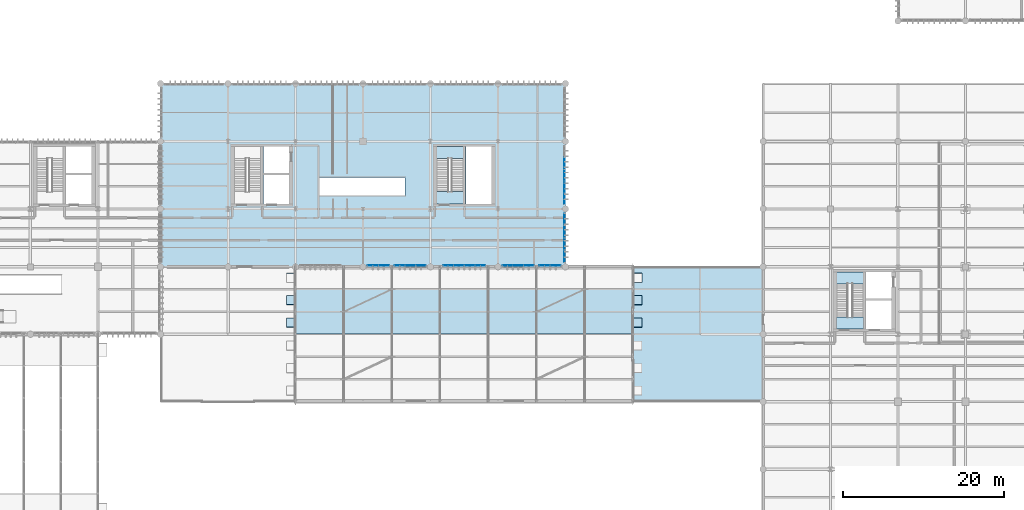
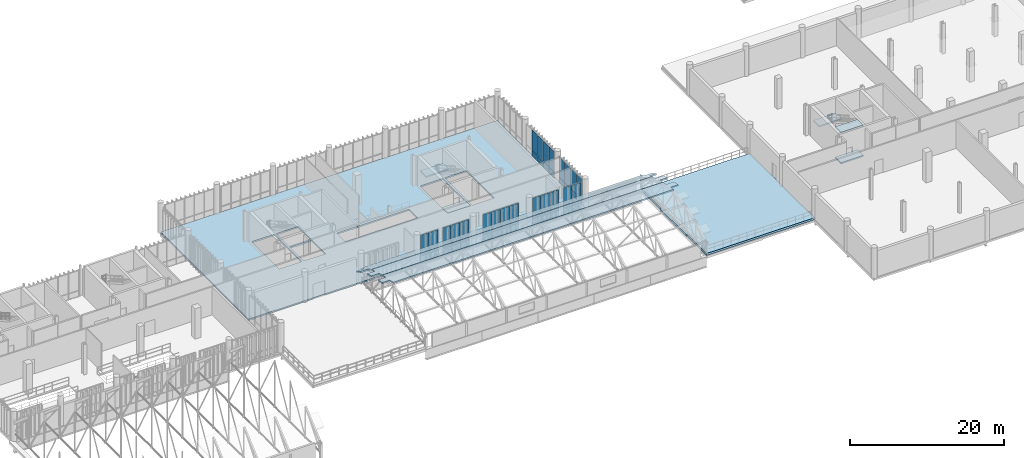
# One storey, part 83 of 109: 44 plates, 10 slabs, 9 elements without a shape of their own.
"""IFC4 building model written with IfcOpenShell, lengths in metres."""

from ifc_helpers import new_model, si_unit, direction, frame, frame_2d, origin_with_axes, place, context, subcontext, project, spatial, polyline, rectangle, outline, extrude, material, layer, layer_set, type_object, element, aggregate, save


model = new_model("IFC4")

# Units and contexts
model_context = context("Model", 3, precision=1e-05, world=origin_with_axes(), true_north=direction((0.0, 1.0)))
body_context = subcontext(model_context, "Body", "Model", "MODEL_VIEW")
ifc_project = project(units=[si_unit("LENGTHUNIT", "METRE"), si_unit("AREAUNIT", "SQUARE_METRE"), si_unit("VOLUMEUNIT", "CUBIC_METRE"), si_unit("PLANEANGLEUNIT", "RADIAN"), si_unit("MASSUNIT", "GRAM", prefix="KILO"), si_unit("THERMODYNAMICTEMPERATUREUNIT", "KELVIN")], contexts=[model_context])

# Site, building, storey
site_placement = place(None, origin_with_axes())
site = spatial("IfcSite", under=ifc_project, at=site_placement, CompositionType="ELEMENT")
building_placement = place(site_placement, origin_with_axes())
building = spatial("IfcBuilding", under=site, at=building_placement, Name="Montbau Bow Law Courts", CompositionType="ELEMENT")
storey_placement = place(building_placement, frame((0.0, 0.0, 10.8), z_axis=(0.0, 0.0, 1.0), x_axis=(1.0, 0.0, 0.0)))
storey = spatial("IfcBuildingStorey", under=building, at=storey_placement, Name="L02", CompositionType="ELEMENT", Elevation=10.8)

# Curtain wall, plates
ifc_material_1 = material(Name="Thermally Broken Extruded Aluminium AA 6063-T6", Category="aluminium")
curtain_wall_type = type_object("IfcCurtainWallType", Name="CW-CRM-01", PredefinedType="NOTDEFINED", material=ifc_material_1)
curtain_wall_1_placement = place(None, frame((72.515, 39.14, 10.8), z_axis=(0.0, 0.0, 1.0), x_axis=(1.0, 0.0, 0.0)))
curtain_wall_1 = element("IfcCurtainWall", 1, at=curtain_wall_1_placement, inside=storey, type_object=curtain_wall_type, Name="CW-L02-158:cw_0158", PredefinedType="NOTDEFINED")
ifc_material_2 = material(Name="Triple-Glazed Low-E Argon Insulating Glass Unit", Category="glass")
ifc_layer_1 = layer(ifc_material_2, 0.044, Name="Curtain Panel", Category="glass")
ifc_layer_set_1 = layer_set([ifc_layer_1], Name="Triple-Glazed Low-E Argon Insulating Glass Unit")
plate_type_1 = type_object("IfcPlateType", Name="PL-CWP-01", PredefinedType="CURTAIN_PANEL", material=ifc_layer_set_1)
plate_1_placement = place(None, frame((72.577, 39.14, 11.782), z_axis=(0.0, -1.0, 0.0), x_axis=(1.0, 0.0, 0.0)))
plate_1 = element("IfcPlate", 2, at=plate_1_placement, type_object=plate_type_1, Name="CW-L02-158-P01-2:cw_0158_P01_2", PredefinedType="CURTAIN_PANEL", context=body_context, shape_type="SweptSolid", body=[
    extrude(rectangle(XDim=1.3, YDim=3.176, at=frame_2d((0.65, 1.588), x_axis=(1.0, 0.0))), frame((0.0, 0.0, -0.022), z_axis=(0.0, 0.0, 1.0), x_axis=(1.0, 0.0, 0.0)), (0.0, 0.0, 1.0), 0.044),
])
plate_2_placement = place(None, frame((73.941, 39.14, 11.782), z_axis=(0.0, -1.0, 0.0), x_axis=(1.0, 0.0, 0.0)))
plate_2 = element("IfcPlate", 3, at=plate_2_placement, type_object=plate_type_1, Name="CW-L02-158-P02-2:cw_0158_P02_2", PredefinedType="CURTAIN_PANEL", context=body_context, shape_type="SweptSolid", body=[
    extrude(rectangle(XDim=1.3, YDim=3.176, at=frame_2d((0.65, 1.588), x_axis=(1.0, 0.0))), frame((0.0, 0.0, -0.022), z_axis=(0.0, 0.0, 1.0), x_axis=(1.0, 0.0, 0.0)), (0.0, 0.0, 1.0), 0.044),
])

curtain_wall_2_placement = place(None, frame((75.897, 39.14, 10.8), z_axis=(0.0, 0.0, 1.0), x_axis=(1.0, 0.0, 0.0)))
curtain_wall_2 = element("IfcCurtainWall", 4, at=curtain_wall_2_placement, inside=storey, type_object=curtain_wall_type, Name="CW-L02-159:cw_0159", PredefinedType="NOTDEFINED")
plate_3_placement = place(None, frame((75.973, 39.14, 11.78), z_axis=(0.0, -1.0, 0.0), x_axis=(1.0, 0.0, 0.0)))
plate_3 = element("IfcPlate", 5, at=plate_3_placement, type_object=plate_type_1, Name="CW-L02-159-P01-2:cw_0159_P01_2", PredefinedType="CURTAIN_PANEL", context=body_context, shape_type="SweptSolid", body=[
    extrude(rectangle(XDim=1.213, YDim=3.183, at=frame_2d((0.6065, 1.5915), x_axis=(1.0, 0.0))), frame((0.0, 0.0, -0.022), z_axis=(0.0, 0.0, 1.0), x_axis=(1.0, 0.0, 0.0)), (0.0, 0.0, 1.0), 0.044),
])
plate_4_placement = place(None, frame((77.266, 39.14, 11.78), z_axis=(0.0, -1.0, 0.0), x_axis=(1.0, 0.0, 0.0)))
plate_4 = element("IfcPlate", 6, at=plate_4_placement, type_object=plate_type_1, Name="CW-L02-159-P02-2:cw_0159_P02_2", PredefinedType="CURTAIN_PANEL", context=body_context, shape_type="SweptSolid", body=[
    extrude(rectangle(XDim=1.25, YDim=3.183, at=frame_2d((0.625, 1.5915), x_axis=(1.0, 0.0))), frame((0.0, 0.0, -0.022), z_axis=(0.0, 0.0, 1.0), x_axis=(1.0, 0.0, 0.0)), (0.0, 0.0, 1.0), 0.044),
])
plate_5_placement = place(None, frame((78.595, 39.14, 11.78), z_axis=(0.0, -1.0, 0.0), x_axis=(1.0, 0.0, 0.0)))
plate_5 = element("IfcPlate", 7, at=plate_5_placement, type_object=plate_type_1, Name="CW-L02-159-P03-2:cw_0159_P03_2", PredefinedType="CURTAIN_PANEL", context=body_context, shape_type="SweptSolid", body=[
    extrude(rectangle(XDim=1.213, YDim=3.183, at=frame_2d((0.6065, 1.5915), x_axis=(1.0, 0.0))), frame((0.0, 0.0, -0.022), z_axis=(0.0, 0.0, 1.0), x_axis=(1.0, 0.0, 0.0)), (0.0, 0.0, 1.0), 0.044),
])

curtain_wall_3_placement = place(None, frame((81.897, 39.14, 10.8), z_axis=(0.0, 0.0, 1.0), x_axis=(1.0, 0.0, 0.0)))
curtain_wall_3 = element("IfcCurtainWall", 8, at=curtain_wall_3_placement, inside=storey, type_object=curtain_wall_type, Name="CW-L02-160:cw_0160", PredefinedType="NOTDEFINED")
plate_6_placement = place(None, frame((81.965, 39.14, 11.782), z_axis=(0.0, -1.0, 0.0), x_axis=(1.0, 0.0, 0.0)))
plate_6 = element("IfcPlate", 9, at=plate_6_placement, type_object=plate_type_1, Name="CW-L02-160-P01-2:cw_0160_P01_2", PredefinedType="CURTAIN_PANEL", context=body_context, shape_type="SweptSolid", body=[
    extrude(rectangle(XDim=1.249, YDim=3.176, at=frame_2d((0.6245, 1.588), x_axis=(1.0, 0.0))), frame((0.0, 0.0, -0.022), z_axis=(0.0, 0.0, 1.0), x_axis=(1.0, 0.0, 0.0)), (0.0, 0.0, 1.0), 0.044),
])
plate_7_placement = place(None, frame((83.282, 39.14, 11.782), z_axis=(0.0, -1.0, 0.0), x_axis=(1.0, 0.0, 0.0)))
plate_7 = element("IfcPlate", 10, at=plate_7_placement, type_object=plate_type_1, Name="CW-L02-160-P02-2:cw_0160_P02_2", PredefinedType="CURTAIN_PANEL", context=body_context, shape_type="SweptSolid", body=[
    extrude(rectangle(XDim=1.283, YDim=3.176, at=frame_2d((0.6415, 1.588), x_axis=(1.0, 0.0))), frame((0.0, 0.0, -0.022), z_axis=(0.0, 0.0, 1.0), x_axis=(1.0, 0.0, 0.0)), (0.0, 0.0, 1.0), 0.044),
])
plate_8_placement = place(None, frame((84.634, 39.14, 11.782), z_axis=(0.0, -1.0, 0.0), x_axis=(1.0, 0.0, 0.0)))
plate_8 = element("IfcPlate", 11, at=plate_8_placement, type_object=plate_type_1, Name="CW-L02-160-P03-2:cw_0160_P03_2", PredefinedType="CURTAIN_PANEL", context=body_context, shape_type="SweptSolid", body=[
    extrude(rectangle(XDim=1.283, YDim=3.176, at=frame_2d((0.6415, 1.588), x_axis=(1.0, 0.0))), frame((0.0, 0.0, -0.022), z_axis=(0.0, 0.0, 1.0), x_axis=(1.0, 0.0, 0.0)), (0.0, 0.0, 1.0), 0.044),
])
plate_9_placement = place(None, frame((85.985, 39.14, 11.782), z_axis=(0.0, -1.0, 0.0), x_axis=(1.0, 0.0, 0.0)))
plate_9 = element("IfcPlate", 12, at=plate_9_placement, type_object=plate_type_1, Name="CW-L02-160-P04-2:cw_0160_P04_2", PredefinedType="CURTAIN_PANEL", context=body_context, shape_type="SweptSolid", body=[
    extrude(rectangle(XDim=1.251, YDim=3.176, at=frame_2d((0.6255, 1.588), x_axis=(1.0, 0.0))), frame((0.0, 0.0, -0.022), z_axis=(0.0, 0.0, 1.0), x_axis=(1.0, 0.0, 0.0)), (0.0, 0.0, 1.0), 0.044),
])

curtain_wall_4_placement = place(None, frame((89.315, 39.14, 10.8), z_axis=(0.0, 0.0, 1.0), x_axis=(1.0, 0.0, 0.0)))
curtain_wall_4 = element("IfcCurtainWall", 13, at=curtain_wall_4_placement, inside=storey, type_object=curtain_wall_type, Name="CW-L02-161:cw_0161", PredefinedType="NOTDEFINED")
plate_10_placement = place(None, frame((89.377, 39.14, 11.78), z_axis=(0.0, -1.0, 0.0), x_axis=(1.0, 0.0, 0.0)))
plate_10 = element("IfcPlate", 14, at=plate_10_placement, type_object=plate_type_1, Name="CW-L02-161-P01-2:cw_0161_P01_2", PredefinedType="CURTAIN_PANEL", context=body_context, shape_type="SweptSolid", body=[
    extrude(rectangle(XDim=1.235, YDim=3.183, at=frame_2d((0.6175, 1.5915), x_axis=(1.0, 0.0))), frame((0.0, 0.0, -0.022), z_axis=(0.0, 0.0, 1.0), x_axis=(1.0, 0.0, 0.0)), (0.0, 0.0, 1.0), 0.044),
])
plate_11_placement = place(None, frame((90.676, 39.14, 11.78), z_axis=(0.0, -1.0, 0.0), x_axis=(1.0, 0.0, 0.0)))
plate_11 = element("IfcPlate", 15, at=plate_11_placement, type_object=plate_type_1, Name="CW-L02-161-P02-2:cw_0161_P02_2", PredefinedType="CURTAIN_PANEL", context=body_context, shape_type="SweptSolid", body=[
    extrude(rectangle(XDim=1.266, YDim=3.183, at=frame_2d((0.633, 1.5915), x_axis=(1.0, 0.0))), frame((0.0, 0.0, -0.022), z_axis=(0.0, 0.0, 1.0), x_axis=(1.0, 0.0, 0.0)), (0.0, 0.0, 1.0), 0.044),
])
plate_12_placement = place(None, frame((92.006, 39.14, 11.78), z_axis=(0.0, -1.0, 0.0), x_axis=(1.0, 0.0, 0.0)))
plate_12 = element("IfcPlate", 16, at=plate_12_placement, type_object=plate_type_1, Name="CW-L02-161-P03-2:cw_0161_P03_2", PredefinedType="CURTAIN_PANEL", context=body_context, shape_type="SweptSolid", body=[
    extrude(rectangle(XDim=1.235, YDim=3.183, at=frame_2d((0.6175, 1.5915), x_axis=(1.0, 0.0))), frame((0.0, 0.0, -0.022), z_axis=(0.0, 0.0, 1.0), x_axis=(1.0, 0.0, 0.0)), (0.0, 0.0, 1.0), 0.044),
])

curtain_wall_5_placement = place(None, frame((93.897, 39.14, 10.8), z_axis=(0.0, 0.0, 1.0), x_axis=(1.0, 0.0, 0.0)))
curtain_wall_5 = element("IfcCurtainWall", 17, at=curtain_wall_5_placement, inside=storey, type_object=curtain_wall_type, Name="CW-L02-162:cw_0162", PredefinedType="NOTDEFINED")
plate_13_placement = place(None, frame((93.973, 39.14, 11.782), z_axis=(0.0, -1.0, 0.0), x_axis=(1.0, 0.0, 0.0)))
plate_13 = element("IfcPlate", 18, at=plate_13_placement, type_object=plate_type_1, Name="CW-L02-162-P01-2:cw_0162_P01_2", PredefinedType="CURTAIN_PANEL", context=body_context, shape_type="SweptSolid", body=[
    extrude(rectangle(XDim=1.278, YDim=3.176, at=frame_2d((0.639, 1.588), x_axis=(1.0, 0.0))), frame((0.0, 0.0, -0.022), z_axis=(0.0, 0.0, 1.0), x_axis=(1.0, 0.0, 0.0)), (0.0, 0.0, 1.0), 0.044),
])
plate_14_placement = place(None, frame((95.33, 39.14, 11.782), z_axis=(0.0, -1.0, 0.0), x_axis=(1.0, 0.0, 0.0)))
plate_14 = element("IfcPlate", 19, at=plate_14_placement, type_object=plate_type_1, Name="CW-L02-162-P02-2:cw_0162_P02_2", PredefinedType="CURTAIN_PANEL", context=body_context, shape_type="SweptSolid", body=[
    extrude(rectangle(XDim=1.278, YDim=3.176, at=frame_2d((0.639, 1.588), x_axis=(1.0, 0.0))), frame((0.0, 0.0, -0.022), z_axis=(0.0, 0.0, 1.0), x_axis=(1.0, 0.0, 0.0)), (0.0, 0.0, 1.0), 0.044),
])

curtain_wall_6_placement = place(None, frame((97.06, 39.515, 10.8), z_axis=(0.0, 0.0, 1.0), x_axis=(1.0, 0.0, 0.0)))
curtain_wall_6 = element("IfcCurtainWall", 20, at=curtain_wall_6_placement, inside=storey, type_object=curtain_wall_type, Name="CW-L02-172:cw_0172", PredefinedType="NOTDEFINED")
plate_15_placement = place(None, frame((97.06, 39.583, 11.782), z_axis=(1.0, 0.0, 0.0), x_axis=(0.0, 1.0, 0.0)))
plate_15 = element("IfcPlate", 21, at=plate_15_placement, type_object=plate_type_1, Name="CW-L02-172-P01-2:cw_0172_P01_2", PredefinedType="CURTAIN_PANEL", context=body_context, shape_type="SweptSolid", body=[
    extrude(rectangle(XDim=1.44, YDim=3.176, at=frame_2d((0.72, 1.588), x_axis=(1.0, 0.0))), frame((0.0, 0.0, -0.022), z_axis=(0.0, 0.0, 1.0), x_axis=(1.0, 0.0, 0.0)), (0.0, 0.0, 1.0), 0.044),
])
plate_16_placement = place(None, frame((97.06, 41.092, 11.782), z_axis=(1.0, 0.0, 0.0), x_axis=(0.0, 1.0, 0.0)))
plate_16 = element("IfcPlate", 22, at=plate_16_placement, type_object=plate_type_1, Name="CW-L02-172-P02-2:cw_0172_P02_2", PredefinedType="CURTAIN_PANEL", context=body_context, shape_type="SweptSolid", body=[
    extrude(rectangle(XDim=1.473, YDim=3.176, at=frame_2d((0.7365, 1.588), x_axis=(1.0, 0.0))), frame((0.0, 0.0, -0.022), z_axis=(0.0, 0.0, 1.0), x_axis=(1.0, 0.0, 0.0)), (0.0, 0.0, 1.0), 0.044),
])
plate_17_placement = place(None, frame((97.06, 42.634, 11.782), z_axis=(1.0, 0.0, 0.0), x_axis=(0.0, 1.0, 0.0)))
plate_17 = element("IfcPlate", 23, at=plate_17_placement, type_object=plate_type_1, Name="CW-L02-172-P03-2:cw_0172_P03_2", PredefinedType="CURTAIN_PANEL", context=body_context, shape_type="SweptSolid", body=[
    extrude(rectangle(XDim=1.475, YDim=3.176, at=frame_2d((0.7375, 1.588), x_axis=(1.0, 0.0))), frame((0.0, 0.0, -0.022), z_axis=(0.0, 0.0, 1.0), x_axis=(1.0, 0.0, 0.0)), (0.0, 0.0, 1.0), 0.044),
])
plate_18_placement = place(None, frame((97.06, 44.177, 11.782), z_axis=(1.0, 0.0, 0.0), x_axis=(0.0, 1.0, 0.0)))
plate_18 = element("IfcPlate", 24, at=plate_18_placement, type_object=plate_type_1, Name="CW-L02-172-P04-2:cw_0172_P04_2", PredefinedType="CURTAIN_PANEL", context=body_context, shape_type="SweptSolid", body=[
    extrude(rectangle(XDim=1.442, YDim=3.176, at=frame_2d((0.721, 1.588), x_axis=(1.0, 0.0))), frame((0.0, 0.0, -0.022), z_axis=(0.0, 0.0, 1.0), x_axis=(1.0, 0.0, 0.0)), (0.0, 0.0, 1.0), 0.044),
])

curtain_wall_7_placement = place(None, frame((97.06, 46.715, 10.8), z_axis=(0.0, 0.0, 1.0), x_axis=(1.0, 0.0, 0.0)))
curtain_wall_7 = element("IfcCurtainWall", 25, at=curtain_wall_7_placement, inside=storey, type_object=curtain_wall_type, Name="CW-L02-173:cw_0173", PredefinedType="NOTDEFINED")
plate_19_placement = place(None, frame((97.06, 46.777, 11.78), z_axis=(1.0, 0.0, 0.0), x_axis=(0.0, 1.0, 0.0)))
plate_19 = element("IfcPlate", 26, at=plate_19_placement, type_object=plate_type_1, Name="CW-L02-173-P01-2:cw_0173_P01_2", PredefinedType="CURTAIN_PANEL", context=body_context, shape_type="SweptSolid", body=[
    extrude(rectangle(XDim=1.38, YDim=3.183, at=frame_2d((0.69, 1.5915), x_axis=(1.0, 0.0))), frame((0.0, 0.0, -0.022), z_axis=(0.0, 0.0, 1.0), x_axis=(1.0, 0.0, 0.0)), (0.0, 0.0, 1.0), 0.044),
])
plate_20_placement = place(None, frame((97.06, 48.221, 11.78), z_axis=(1.0, 0.0, 0.0), x_axis=(0.0, 1.0, 0.0)))
plate_20 = element("IfcPlate", 27, at=plate_20_placement, type_object=plate_type_1, Name="CW-L02-173-P02-2:cw_0173_P02_2", PredefinedType="CURTAIN_PANEL", context=body_context, shape_type="SweptSolid", body=[
    extrude(rectangle(XDim=1.41, YDim=3.183, at=frame_2d((0.705, 1.5915), x_axis=(1.0, 0.0))), frame((0.0, 0.0, -0.022), z_axis=(0.0, 0.0, 1.0), x_axis=(1.0, 0.0, 0.0)), (0.0, 0.0, 1.0), 0.044),
])
plate_21_placement = place(None, frame((97.06, 49.695, 11.78), z_axis=(1.0, 0.0, 0.0), x_axis=(0.0, 1.0, 0.0)))
plate_21 = element("IfcPlate", 28, at=plate_21_placement, type_object=plate_type_1, Name="CW-L02-173-P03-2:cw_0173_P03_2", PredefinedType="CURTAIN_PANEL", context=body_context, shape_type="SweptSolid", body=[
    extrude(rectangle(XDim=1.41, YDim=3.183, at=frame_2d((0.705, 1.5915), x_axis=(1.0, 0.0))), frame((0.0, 0.0, -0.022), z_axis=(0.0, 0.0, 1.0), x_axis=(1.0, 0.0, 0.0)), (0.0, 0.0, 1.0), 0.044),
])
plate_22_placement = place(None, frame((97.06, 51.169, 11.78), z_axis=(1.0, 0.0, 0.0), x_axis=(0.0, 1.0, 0.0)))
plate_22 = element("IfcPlate", 29, at=plate_22_placement, type_object=plate_type_1, Name="CW-L02-173-P04-2:cw_0173_P04_2", PredefinedType="CURTAIN_PANEL", context=body_context, shape_type="SweptSolid", body=[
    extrude(rectangle(XDim=1.41, YDim=3.183, at=frame_2d((0.705, 1.5915), x_axis=(1.0, 0.0))), frame((0.0, 0.0, -0.022), z_axis=(0.0, 0.0, 1.0), x_axis=(1.0, 0.0, 0.0)), (0.0, 0.0, 1.0), 0.044),
])

# Plate
ifc_material_3 = material(Name="Insulated Ceramic-Frit Spandrel Glazing Unit", Category="glass")
ifc_layer_2 = layer(ifc_material_3, 0.056, Name="Curtain Panel", Category="glass")
ifc_layer_set_2 = layer_set([ifc_layer_2], Name="Insulated Ceramic-Frit Spandrel Glazing Unit")
plate_type_2 = type_object("IfcPlateType", Name="PL-CWP-02", PredefinedType="CURTAIN_PANEL", material=ifc_layer_set_2)
plate_23_placement = place(None, frame((72.577, 39.14, 10.862), z_axis=(0.0, -1.0, 0.0), x_axis=(1.0, 0.0, 0.0)))
plate_23 = element("IfcPlate", 30, at=plate_23_placement, type_object=plate_type_2, Name="CW-L02-158-P01-1:cw_0158_P01_1", PredefinedType="CURTAIN_PANEL", context=body_context, shape_type="SweptSolid", body=[
    extrude(rectangle(XDim=1.3, YDim=0.856, at=frame_2d((0.65, 0.428), x_axis=(1.0, 0.0))), frame((0.0, 0.0, -0.028), z_axis=(0.0, 0.0, 1.0), x_axis=(1.0, 0.0, 0.0)), (0.0, 0.0, 1.0), 0.056),
])

plate_24_placement = place(None, frame((73.941, 39.14, 10.862), z_axis=(0.0, -1.0, 0.0), x_axis=(1.0, 0.0, 0.0)))
plate_24 = element("IfcPlate", 31, at=plate_24_placement, type_object=plate_type_2, Name="CW-L02-158-P02-1:cw_0158_P02_1", PredefinedType="CURTAIN_PANEL", context=body_context, shape_type="SweptSolid", body=[
    extrude(rectangle(XDim=1.3, YDim=0.856, at=frame_2d((0.65, 0.428), x_axis=(1.0, 0.0))), frame((0.0, 0.0, -0.028), z_axis=(0.0, 0.0, 1.0), x_axis=(1.0, 0.0, 0.0)), (0.0, 0.0, 1.0), 0.056),
])

aggregate(curtain_wall_1, [plate_23, plate_1, plate_24, plate_2])

plate_25_placement = place(None, frame((75.973, 39.14, 10.857), z_axis=(0.0, -1.0, 0.0), x_axis=(1.0, 0.0, 0.0)))
plate_25 = element("IfcPlate", 32, at=plate_25_placement, type_object=plate_type_2, Name="CW-L02-159-P01-1:cw_0159_P01_1", PredefinedType="CURTAIN_PANEL", context=body_context, shape_type="SweptSolid", body=[
    extrude(rectangle(XDim=1.213, YDim=0.863, at=frame_2d((0.6065, 0.4315), x_axis=(1.0, 0.0))), frame((0.0, 0.0, -0.028), z_axis=(0.0, 0.0, 1.0), x_axis=(1.0, 0.0, 0.0)), (0.0, 0.0, 1.0), 0.056),
])

plate_26_placement = place(None, frame((77.266, 39.14, 10.857), z_axis=(0.0, -1.0, 0.0), x_axis=(1.0, 0.0, 0.0)))
plate_26 = element("IfcPlate", 33, at=plate_26_placement, type_object=plate_type_2, Name="CW-L02-159-P02-1:cw_0159_P02_1", PredefinedType="CURTAIN_PANEL", context=body_context, shape_type="SweptSolid", body=[
    extrude(rectangle(XDim=1.25, YDim=0.863, at=frame_2d((0.625, 0.4315), x_axis=(1.0, 0.0))), frame((0.0, 0.0, -0.028), z_axis=(0.0, 0.0, 1.0), x_axis=(1.0, 0.0, 0.0)), (0.0, 0.0, 1.0), 0.056),
])

plate_27_placement = place(None, frame((78.595, 39.14, 10.857), z_axis=(0.0, -1.0, 0.0), x_axis=(1.0, 0.0, 0.0)))
plate_27 = element("IfcPlate", 34, at=plate_27_placement, type_object=plate_type_2, Name="CW-L02-159-P03-1:cw_0159_P03_1", PredefinedType="CURTAIN_PANEL", context=body_context, shape_type="SweptSolid", body=[
    extrude(rectangle(XDim=1.213, YDim=0.863, at=frame_2d((0.6065, 0.4315), x_axis=(1.0, 0.0))), frame((0.0, 0.0, -0.028), z_axis=(0.0, 0.0, 1.0), x_axis=(1.0, 0.0, 0.0)), (0.0, 0.0, 1.0), 0.056),
])

aggregate(curtain_wall_2, [plate_25, plate_3, plate_26, plate_4, plate_27, plate_5])

plate_28_placement = place(None, frame((81.965, 39.14, 10.862), z_axis=(0.0, -1.0, 0.0), x_axis=(1.0, 0.0, 0.0)))
plate_28 = element("IfcPlate", 35, at=plate_28_placement, type_object=plate_type_2, Name="CW-L02-160-P01-1:cw_0160_P01_1", PredefinedType="CURTAIN_PANEL", context=body_context, shape_type="SweptSolid", body=[
    extrude(rectangle(XDim=1.249, YDim=0.856, at=frame_2d((0.6245, 0.428), x_axis=(1.0, 0.0))), frame((0.0, 0.0, -0.028), z_axis=(0.0, 0.0, 1.0), x_axis=(1.0, 0.0, 0.0)), (0.0, 0.0, 1.0), 0.056),
])

plate_29_placement = place(None, frame((83.282, 39.14, 10.862), z_axis=(0.0, -1.0, 0.0), x_axis=(1.0, 0.0, 0.0)))
plate_29 = element("IfcPlate", 36, at=plate_29_placement, type_object=plate_type_2, Name="CW-L02-160-P02-1:cw_0160_P02_1", PredefinedType="CURTAIN_PANEL", context=body_context, shape_type="SweptSolid", body=[
    extrude(rectangle(XDim=1.283, YDim=0.856, at=frame_2d((0.6415, 0.428), x_axis=(1.0, 0.0))), frame((0.0, 0.0, -0.028), z_axis=(0.0, 0.0, 1.0), x_axis=(1.0, 0.0, 0.0)), (0.0, 0.0, 1.0), 0.056),
])

plate_30_placement = place(None, frame((84.634, 39.14, 10.862), z_axis=(0.0, -1.0, 0.0), x_axis=(1.0, 0.0, 0.0)))
plate_30 = element("IfcPlate", 37, at=plate_30_placement, type_object=plate_type_2, Name="CW-L02-160-P03-1:cw_0160_P03_1", PredefinedType="CURTAIN_PANEL", context=body_context, shape_type="SweptSolid", body=[
    extrude(rectangle(XDim=1.283, YDim=0.856, at=frame_2d((0.6415, 0.428), x_axis=(1.0, 0.0))), frame((0.0, 0.0, -0.028), z_axis=(0.0, 0.0, 1.0), x_axis=(1.0, 0.0, 0.0)), (0.0, 0.0, 1.0), 0.056),
])

plate_31_placement = place(None, frame((85.985, 39.14, 10.862), z_axis=(0.0, -1.0, 0.0), x_axis=(1.0, 0.0, 0.0)))
plate_31 = element("IfcPlate", 38, at=plate_31_placement, type_object=plate_type_2, Name="CW-L02-160-P04-1:cw_0160_P04_1", PredefinedType="CURTAIN_PANEL", context=body_context, shape_type="SweptSolid", body=[
    extrude(rectangle(XDim=1.251, YDim=0.856, at=frame_2d((0.6255, 0.428), x_axis=(1.0, 0.0))), frame((0.0, 0.0, -0.028), z_axis=(0.0, 0.0, 1.0), x_axis=(1.0, 0.0, 0.0)), (0.0, 0.0, 1.0), 0.056),
])

aggregate(curtain_wall_3, [plate_28, plate_6, plate_29, plate_7, plate_30, plate_8, plate_31, plate_9])

plate_32_placement = place(None, frame((89.377, 39.14, 10.857), z_axis=(0.0, -1.0, 0.0), x_axis=(1.0, 0.0, 0.0)))
plate_32 = element("IfcPlate", 39, at=plate_32_placement, type_object=plate_type_2, Name="CW-L02-161-P01-1:cw_0161_P01_1", PredefinedType="CURTAIN_PANEL", context=body_context, shape_type="SweptSolid", body=[
    extrude(rectangle(XDim=1.235, YDim=0.863, at=frame_2d((0.6175, 0.4315), x_axis=(1.0, 0.0))), frame((0.0, 0.0, -0.028), z_axis=(0.0, 0.0, 1.0), x_axis=(1.0, 0.0, 0.0)), (0.0, 0.0, 1.0), 0.056),
])

plate_33_placement = place(None, frame((90.676, 39.14, 10.857), z_axis=(0.0, -1.0, 0.0), x_axis=(1.0, 0.0, 0.0)))
plate_33 = element("IfcPlate", 40, at=plate_33_placement, type_object=plate_type_2, Name="CW-L02-161-P02-1:cw_0161_P02_1", PredefinedType="CURTAIN_PANEL", context=body_context, shape_type="SweptSolid", body=[
    extrude(rectangle(XDim=1.266, YDim=0.863, at=frame_2d((0.633, 0.4315), x_axis=(1.0, 0.0))), frame((0.0, 0.0, -0.028), z_axis=(0.0, 0.0, 1.0), x_axis=(1.0, 0.0, 0.0)), (0.0, 0.0, 1.0), 0.056),
])

plate_34_placement = place(None, frame((92.006, 39.14, 10.857), z_axis=(0.0, -1.0, 0.0), x_axis=(1.0, 0.0, 0.0)))
plate_34 = element("IfcPlate", 41, at=plate_34_placement, type_object=plate_type_2, Name="CW-L02-161-P03-1:cw_0161_P03_1", PredefinedType="CURTAIN_PANEL", context=body_context, shape_type="SweptSolid", body=[
    extrude(rectangle(XDim=1.235, YDim=0.863, at=frame_2d((0.6175, 0.4315), x_axis=(1.0, 0.0))), frame((0.0, 0.0, -0.028), z_axis=(0.0, 0.0, 1.0), x_axis=(1.0, 0.0, 0.0)), (0.0, 0.0, 1.0), 0.056),
])

aggregate(curtain_wall_4, [plate_32, plate_10, plate_33, plate_11, plate_34, plate_12])

plate_35_placement = place(None, frame((93.973, 39.14, 10.862), z_axis=(0.0, -1.0, 0.0), x_axis=(1.0, 0.0, 0.0)))
plate_35 = element("IfcPlate", 42, at=plate_35_placement, type_object=plate_type_2, Name="CW-L02-162-P01-1:cw_0162_P01_1", PredefinedType="CURTAIN_PANEL", context=body_context, shape_type="SweptSolid", body=[
    extrude(rectangle(XDim=1.278, YDim=0.856, at=frame_2d((0.639, 0.428), x_axis=(1.0, 0.0))), frame((0.0, 0.0, -0.028), z_axis=(0.0, 0.0, 1.0), x_axis=(1.0, 0.0, 0.0)), (0.0, 0.0, 1.0), 0.056),
])

plate_36_placement = place(None, frame((95.33, 39.14, 10.862), z_axis=(0.0, -1.0, 0.0), x_axis=(1.0, 0.0, 0.0)))
plate_36 = element("IfcPlate", 43, at=plate_36_placement, type_object=plate_type_2, Name="CW-L02-162-P02-1:cw_0162_P02_1", PredefinedType="CURTAIN_PANEL", context=body_context, shape_type="SweptSolid", body=[
    extrude(rectangle(XDim=1.278, YDim=0.856, at=frame_2d((0.639, 0.428), x_axis=(1.0, 0.0))), frame((0.0, 0.0, -0.028), z_axis=(0.0, 0.0, 1.0), x_axis=(1.0, 0.0, 0.0)), (0.0, 0.0, 1.0), 0.056),
])

aggregate(curtain_wall_5, [plate_35, plate_13, plate_36, plate_14])

plate_37_placement = place(None, frame((97.06, 39.583, 10.862), z_axis=(1.0, 0.0, 0.0), x_axis=(0.0, 1.0, 0.0)))
plate_37 = element("IfcPlate", 44, at=plate_37_placement, type_object=plate_type_2, Name="CW-L02-172-P01-1:cw_0172_P01_1", PredefinedType="CURTAIN_PANEL", context=body_context, shape_type="SweptSolid", body=[
    extrude(rectangle(XDim=1.44, YDim=0.856, at=frame_2d((0.72, 0.428), x_axis=(1.0, 0.0))), frame((0.0, 0.0, -0.028), z_axis=(0.0, 0.0, 1.0), x_axis=(1.0, 0.0, 0.0)), (0.0, 0.0, 1.0), 0.056),
])

plate_38_placement = place(None, frame((97.06, 41.092, 10.862), z_axis=(1.0, 0.0, 0.0), x_axis=(0.0, 1.0, 0.0)))
plate_38 = element("IfcPlate", 45, at=plate_38_placement, type_object=plate_type_2, Name="CW-L02-172-P02-1:cw_0172_P02_1", PredefinedType="CURTAIN_PANEL", context=body_context, shape_type="SweptSolid", body=[
    extrude(rectangle(XDim=1.473, YDim=0.856, at=frame_2d((0.7365, 0.428), x_axis=(1.0, 0.0))), frame((0.0, 0.0, -0.028), z_axis=(0.0, 0.0, 1.0), x_axis=(1.0, 0.0, 0.0)), (0.0, 0.0, 1.0), 0.056),
])

plate_39_placement = place(None, frame((97.06, 42.634, 10.862), z_axis=(1.0, 0.0, 0.0), x_axis=(0.0, 1.0, 0.0)))
plate_39 = element("IfcPlate", 46, at=plate_39_placement, type_object=plate_type_2, Name="CW-L02-172-P03-1:cw_0172_P03_1", PredefinedType="CURTAIN_PANEL", context=body_context, shape_type="SweptSolid", body=[
    extrude(rectangle(XDim=1.475, YDim=0.856, at=frame_2d((0.7375, 0.428), x_axis=(1.0, 0.0))), frame((0.0, 0.0, -0.028), z_axis=(0.0, 0.0, 1.0), x_axis=(1.0, 0.0, 0.0)), (0.0, 0.0, 1.0), 0.056),
])

plate_40_placement = place(None, frame((97.06, 44.177, 10.862), z_axis=(1.0, 0.0, 0.0), x_axis=(0.0, 1.0, 0.0)))
plate_40 = element("IfcPlate", 47, at=plate_40_placement, type_object=plate_type_2, Name="CW-L02-172-P04-1:cw_0172_P04_1", PredefinedType="CURTAIN_PANEL", context=body_context, shape_type="SweptSolid", body=[
    extrude(rectangle(XDim=1.442, YDim=0.856, at=frame_2d((0.721, 0.428), x_axis=(1.0, 0.0))), frame((0.0, 0.0, -0.028), z_axis=(0.0, 0.0, 1.0), x_axis=(1.0, 0.0, 0.0)), (0.0, 0.0, 1.0), 0.056),
])

aggregate(curtain_wall_6, [plate_37, plate_15, plate_38, plate_16, plate_39, plate_17, plate_40, plate_18])

plate_41_placement = place(None, frame((97.06, 46.777, 10.857), z_axis=(1.0, 0.0, 0.0), x_axis=(0.0, 1.0, 0.0)))
plate_41 = element("IfcPlate", 48, at=plate_41_placement, type_object=plate_type_2, Name="CW-L02-173-P01-1:cw_0173_P01_1", PredefinedType="CURTAIN_PANEL", context=body_context, shape_type="SweptSolid", body=[
    extrude(rectangle(XDim=1.38, YDim=0.863, at=frame_2d((0.69, 0.4315), x_axis=(1.0, 0.0))), frame((0.0, 0.0, -0.028), z_axis=(0.0, 0.0, 1.0), x_axis=(1.0, 0.0, 0.0)), (0.0, 0.0, 1.0), 0.056),
])

plate_42_placement = place(None, frame((97.06, 48.221, 10.857), z_axis=(1.0, 0.0, 0.0), x_axis=(0.0, 1.0, 0.0)))
plate_42 = element("IfcPlate", 49, at=plate_42_placement, type_object=plate_type_2, Name="CW-L02-173-P02-1:cw_0173_P02_1", PredefinedType="CURTAIN_PANEL", context=body_context, shape_type="SweptSolid", body=[
    extrude(rectangle(XDim=1.41, YDim=0.863, at=frame_2d((0.705, 0.4315), x_axis=(1.0, 0.0))), frame((0.0, 0.0, -0.028), z_axis=(0.0, 0.0, 1.0), x_axis=(1.0, 0.0, 0.0)), (0.0, 0.0, 1.0), 0.056),
])

plate_43_placement = place(None, frame((97.06, 49.695, 10.857), z_axis=(1.0, 0.0, 0.0), x_axis=(0.0, 1.0, 0.0)))
plate_43 = element("IfcPlate", 50, at=plate_43_placement, type_object=plate_type_2, Name="CW-L02-173-P03-1:cw_0173_P03_1", PredefinedType="CURTAIN_PANEL", context=body_context, shape_type="SweptSolid", body=[
    extrude(rectangle(XDim=1.41, YDim=0.863, at=frame_2d((0.705, 0.4315), x_axis=(1.0, 0.0))), frame((0.0, 0.0, -0.028), z_axis=(0.0, 0.0, 1.0), x_axis=(1.0, 0.0, 0.0)), (0.0, 0.0, 1.0), 0.056),
])

plate_44_placement = place(None, frame((97.06, 51.169, 10.857), z_axis=(1.0, 0.0, 0.0), x_axis=(0.0, 1.0, 0.0)))
plate_44 = element("IfcPlate", 51, at=plate_44_placement, type_object=plate_type_2, Name="CW-L02-173-P04-1:cw_0173_P04_1", PredefinedType="CURTAIN_PANEL", context=body_context, shape_type="SweptSolid", body=[
    extrude(rectangle(XDim=1.41, YDim=0.863, at=frame_2d((0.705, 0.4315), x_axis=(1.0, 0.0))), frame((0.0, 0.0, -0.028), z_axis=(0.0, 0.0, 1.0), x_axis=(1.0, 0.0, 0.0)), (0.0, 0.0, 1.0), 0.056),
])

aggregate(curtain_wall_7, [plate_41, plate_19, plate_42, plate_20, plate_43, plate_21, plate_44, plate_22])

# Slab
ifc_material_4 = material(Name="Concrete CSA A23.1 f'c 40 MPa", Category="concrete")
ifc_layer_3 = layer(ifc_material_4, 0.24, Name="Floor Slab", Category="concrete")
ifc_layer_set_3 = layer_set([ifc_layer_3], Name="Concrete CSA A23.1 f'c 40 MPa")
slab_type_1 = type_object("IfcSlabType", Name="SL-FLR-03", PredefinedType="FLOOR", material=ifc_layer_set_3)
slab_1_placement = place(None, frame((0.0, 0.0, 10.56), z_axis=(0.0, 0.0, 1.0), x_axis=(1.0, 0.0, 0.0)))
element("IfcSlab", 52, at=slab_1_placement, inside=storey, type_object=slab_type_1, Name="SL-V3-L02:slb_0017", PredefinedType="FLOOR", context=body_context, shape_type="SweptSolid", body=[
    extrude(outline(polyline([(46.8, 39.0), (97.2, 39.0), (97.2, 61.8), (46.8, 61.8), (46.8, 39.0)]), holes=[polyline([(55.92, 46.858), (59.3, 46.858), (59.3, 53.96), (55.92, 53.96), (55.92, 46.858)]), polyline([(59.6, 46.84), (62.85, 46.84), (62.85, 50.422), (59.6, 50.422), (59.6, 46.84)]), polyline([(59.6, 50.662), (62.85, 50.662), (62.85, 53.96), (59.6, 53.96), (59.6, 50.662)]), polyline([(81.12, 46.858), (84.5, 46.858), (84.5, 53.96), (81.12, 53.96), (81.12, 46.858)]), polyline([(84.8, 46.84), (88.05, 46.84), (88.05, 53.96), (84.8, 53.96), (84.8, 46.84)]), polyline([(66.45, 47.88), (77.23, 47.88), (77.23, 50.12), (66.45, 50.12), (66.45, 47.88)])]), origin_with_axes(), (0.0, 0.0, 1.0), 0.24),
])

# Stair, slabs
stair_type_1 = type_object("IfcStairType", Name="ST-PUB-1800", PredefinedType="HALF_TURN_STAIR", material=ifc_material_4)
stair_1_placement = place(None, frame((81.93, 48.3, 10.8), z_axis=(0.0, 0.0, 1.0), x_axis=(1.0, 0.0, 0.0)))
stair_1 = element("IfcStair", 53, at=stair_1_placement, inside=storey, type_object=stair_type_1, Name="ST-P3-L02:str_0028", PredefinedType="HALF_TURN_STAIR")
ifc_layer_4 = layer(ifc_material_4, 0.21, Name="Landing", Category="concrete")
ifc_layer_set_4 = layer_set([ifc_layer_4], Name="Concrete CSA A23.1 f'c 40 MPa")
slab_type_2 = type_object("IfcSlabType", Name="SL-LND-02", PredefinedType="LANDING", material=ifc_layer_set_4)
slab_2_placement = place(None, frame((0.0, 0.0, 10.59), z_axis=(0.0, 0.0, 1.0), x_axis=(1.0, 0.0, 0.0)))
slab_2 = element("IfcSlab", 54, at=slab_2_placement, type_object=slab_type_2, Name="ST-P3-L02-LB:str_0028_LB", PredefinedType="LANDING", context=body_context, shape_type="SweptSolid", body=[
    extrude(outline(polyline([(81.12, 46.84), (84.5, 46.84), (84.5, 48.34), (81.12, 48.34), (81.12, 46.84)])), origin_with_axes(), (0.0, 0.0, 1.0), 0.21),
])
slab_3_placement = place(None, frame((0.0, 0.0, 12.99), z_axis=(0.0, 0.0, 1.0), x_axis=(1.0, 0.0, 0.0)))
slab_3 = element("IfcSlab", 55, at=slab_3_placement, type_object=slab_type_2, Name="ST-P3-L02-LM:str_0028_LM", PredefinedType="LANDING", context=body_context, shape_type="SweptSolid", body=[
    extrude(outline(polyline([(81.12, 52.46), (84.5, 52.46), (84.5, 53.96), (81.12, 53.96), (81.12, 52.46)])), origin_with_axes(), (0.0, 0.0, 1.0), 0.21),
])
aggregate(stair_1, [slab_2, slab_3])

stair_type_2 = type_object("IfcStairType", Name="ST-CUS-1500", PredefinedType="HALF_TURN_STAIR", material=ifc_material_4)
stair_2_placement = place(None, frame((131.69, 32.7, 10.8), z_axis=(0.0, 0.0, 1.0), x_axis=(1.0, 0.0, 0.0)))
stair_2 = element("IfcStair", 56, at=stair_2_placement, inside=storey, type_object=stair_type_2, Name="ST-C1-L02:str_0058", PredefinedType="HALF_TURN_STAIR")
slab_4_placement = place(None, frame((0.0, 0.0, 10.59), z_axis=(0.0, 0.0, 1.0), x_axis=(1.0, 0.0, 0.0)))
slab_4 = element("IfcSlab", 57, at=slab_4_placement, type_object=slab_type_2, Name="ST-C1-L02-LB:str_0058_LB", PredefinedType="LANDING", context=body_context, shape_type="SweptSolid", body=[
    extrude(outline(polyline([(130.92, 31.24), (134.3, 31.24), (134.3, 32.74), (130.92, 32.74), (130.92, 31.24)])), origin_with_axes(), (0.0, 0.0, 1.0), 0.21),
])
slab_5_placement = place(None, frame((0.0, 0.0, 12.99), z_axis=(0.0, 0.0, 1.0), x_axis=(1.0, 0.0, 0.0)))
slab_5 = element("IfcSlab", 58, at=slab_5_placement, type_object=slab_type_2, Name="ST-C1-L02-LM:str_0058_LM", PredefinedType="LANDING", context=body_context, shape_type="SweptSolid", body=[
    extrude(outline(polyline([(130.92, 36.86), (134.3, 36.86), (134.3, 38.36), (130.92, 38.36), (130.92, 36.86)])), origin_with_axes(), (0.0, 0.0, 1.0), 0.21),
])
slab_6_placement = place(None, frame((0.0, 0.0, 15.39), z_axis=(0.0, 0.0, 1.0), x_axis=(1.0, 0.0, 0.0)))
slab_6 = element("IfcSlab", 59, at=slab_6_placement, type_object=slab_type_2, Name="ST-C1-L02-LT:str_0058_LT", PredefinedType="LANDING", context=body_context, shape_type="SweptSolid", body=[
    extrude(outline(polyline([(130.92, 31.24), (134.3, 31.24), (134.3, 32.74), (130.92, 32.74), (130.92, 31.24)])), origin_with_axes(), (0.0, 0.0, 1.0), 0.21),
])
aggregate(stair_2, [slab_4, slab_5, slab_6])

# Slabs
ifc_layer_5 = layer(ifc_material_4, 0.19, Name="Roof Slab", Category="concrete")
ifc_layer_set_5 = layer_set([ifc_layer_5], Name="Concrete CSA A23.1 f'c 40 MPa")
slab_type_3 = type_object("IfcSlabType", Name="SL-ROF-03", PredefinedType="ROOF", material=ifc_layer_set_5)
slab_7_placement = place(None, frame((0.0, 0.0, 21.610421), z_axis=(0.0, 0.191395051, 0.981513084), x_axis=(1.0, 0.0, 0.0)))
element("IfcSlab", 60, at=slab_7_placement, inside=storey, type_object=slab_type_3, Name="BV-SLB-V4-F4:slb_0083", PredefinedType="ROOF", context=body_context, shape_type="SweptSolid", body=[
    extrude(outline(polyline([(63.6, 31.176355), (105.6, 31.176355), (105.6, 32.032176), (106.75, 32.032176), (106.75, 33.173271), (105.6, 33.173271), (105.6, 34.029093), (63.6, 34.029093), (63.6, 33.173271), (62.45, 33.173271), (62.45, 32.032176), (63.6, 32.032176), (63.6, 31.176355)])), origin_with_axes(), (0.0, 0.0, 1.0), 0.19),
])
slab_8_placement = place(None, frame((0.0, 0.0, 24.983651), z_axis=(0.0, 0.283827137, 0.958875464), x_axis=(1.0, 0.0, 0.0)))
element("IfcSlab", 61, at=slab_8_placement, inside=storey, type_object=slab_type_3, Name="BV-SLB-V4-F5:slb_0084", PredefinedType="ROOF", context=body_context, shape_type="SweptSolid", body=[
    extrude(outline(polyline([(63.6, 34.832469), (105.6, 34.832469), (105.6, 35.708495), (106.75, 35.708495), (106.75, 36.87653), (105.6, 36.87653), (105.6, 37.752556), (63.6, 37.752556), (63.6, 36.87653), (62.45, 36.87653), (62.45, 35.708495), (63.6, 35.708495), (63.6, 34.832469)])), origin_with_axes(), (0.0, 0.0, 1.0), 0.19),
])
slab_9_placement = place(None, frame((0.0, 0.0, 33.745048), z_axis=(0.0, 0.473784701, 0.880640708), x_axis=(1.0, 0.0, 0.0)))
element("IfcSlab", 62, at=slab_9_placement, inside=storey, type_object=slab_type_3, Name="BV-SLB-V4-F6:slb_0085", PredefinedType="ROOF", context=body_context, shape_type="SweptSolid", body=[
    extrude(outline(polyline([(63.6, 41.106435), (105.6, 41.106435), (105.6, 42.060286), (106.75, 42.060286), (106.75, 43.332087), (105.6, 43.332087), (105.6, 44.285938), (63.6, 44.285938), (63.6, 43.332087), (62.45, 43.332087), (62.45, 42.060286), (63.6, 42.060286), (63.6, 41.106435)])), origin_with_axes(), (0.0, 0.0, 1.0), 0.19),
])
ifc_layer_6 = layer(ifc_material_4, 0.32, Name="Floor Slab", Category="concrete")
ifc_layer_set_6 = layer_set([ifc_layer_6], Name="Concrete CSA A23.1 f'c 40 MPa")
slab_type_4 = type_object("IfcSlabType", Name="SL-TER-01", PredefinedType="FLOOR", material=ifc_layer_set_6)
slab_10_placement = place(None, frame((0.0, 0.0, 10.48), z_axis=(0.0, 0.0, 1.0), x_axis=(1.0, 0.0, 0.0)))
element("IfcSlab", 63, at=slab_10_placement, inside=storey, type_object=slab_type_4, Name="TER-L02-E:slb_0040", PredefinedType="FLOOR", context=body_context, shape_type="SweptSolid", body=[
    extrude(outline(polyline([(105.6, 22.2), (121.796, 22.2), (121.796, 39.0), (105.6, 39.0), (105.6, 33.96), (105.46, 33.96), (105.46, 27.24), (105.6, 27.24), (105.6, 22.2)])), origin_with_axes(), (0.0, 0.0, 1.0), 0.32),
])

save(model, "model.ifc")
